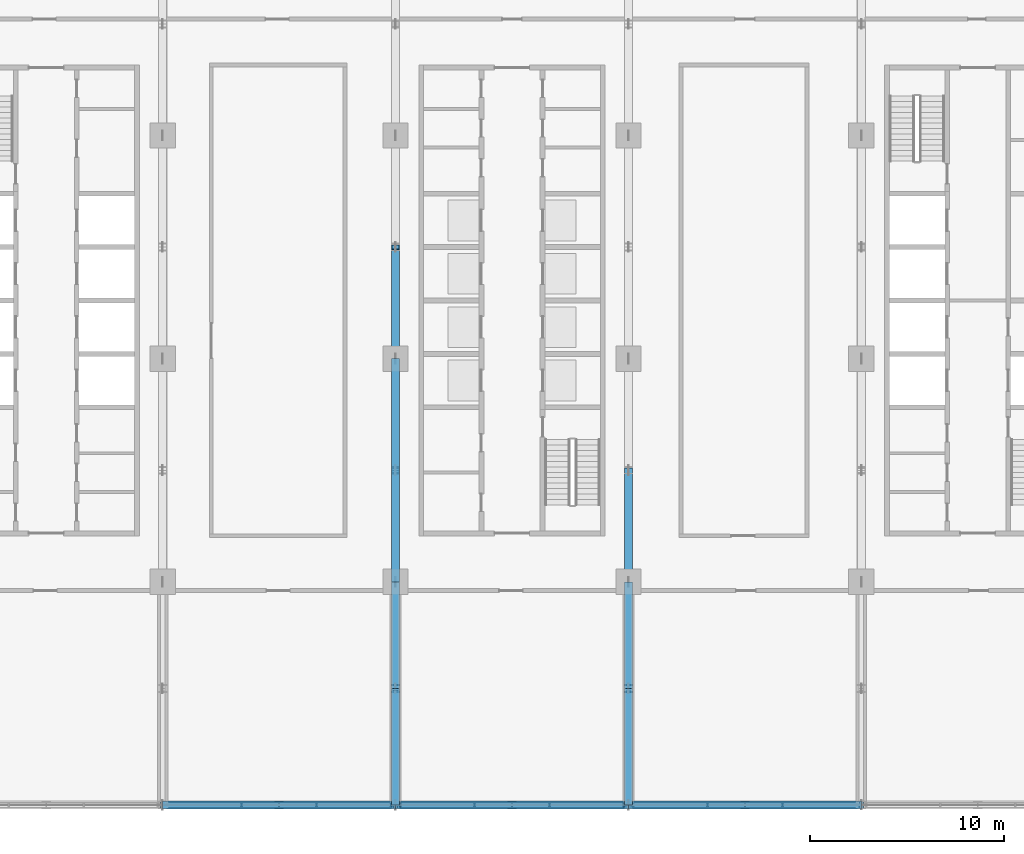
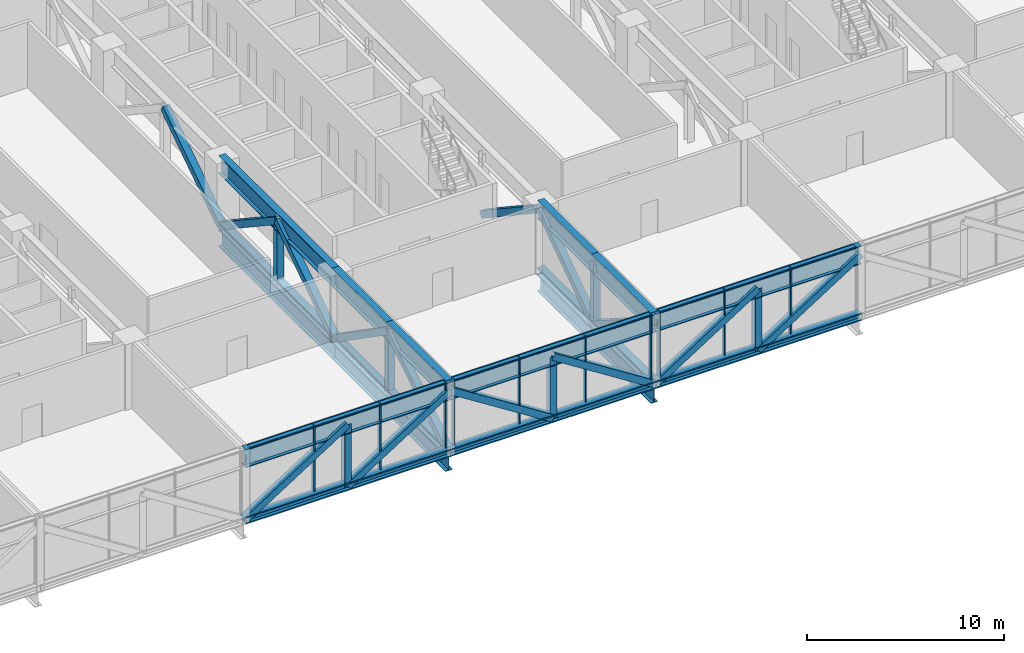
# One storey, part 5 of 30: 55 members, 5 beams, 3 elements without a shape of their own.
"""IFC4 building model written with IfcOpenShell, lengths in metres."""

from ifc_helpers import new_model, si_unit, direction, frame, origin, origin_2d, place, context, subcontext, project, spatial, rectangle, hollow_rectangle, i_section, extrude, material, material_profile, profile_set, type_object, element, aggregate, save


model = new_model("IFC4")

# Units and contexts
model_context = context("Model", 3, precision=1e-05, world=origin(), true_north=direction((0.0, 1.0)))
body_context = subcontext(model_context, "Body", "Model", "MODEL_VIEW")
ifc_project = project(units=[si_unit("LENGTHUNIT", "METRE"), si_unit("AREAUNIT", "SQUARE_METRE"), si_unit("VOLUMEUNIT", "CUBIC_METRE"), si_unit("PLANEANGLEUNIT", "RADIAN"), si_unit("MASSUNIT", "GRAM", prefix="KILO")], contexts=[model_context])

# Site, building, storey
site_placement = place(None, origin())
site = spatial("IfcSite", under=ifc_project, at=site_placement, CompositionType="ELEMENT")
building_placement = place(site_placement, origin())
building = spatial("IfcBuilding", under=site, at=building_placement, Name="Mahtab Terrace Research Tower", CompositionType="ELEMENT")
storey_placement = place(building_placement, frame((0.0, 0.0, 154.800048828125)))
storey = spatial("IfcBuildingStorey", under=building, at=storey_placement, Name="L36", CompositionType="ELEMENT", Elevation=154.800048828125)

# Members
ifc_material_1 = material(Name="Steel ASTM A500 Gr C", Category="steel")
ifc_material_profile_1 = material_profile(ifc_material_1, hollow_rectangle(XDim=0.406494140625, YDim=0.406494140625, WallThickness=0.015869140625, at=origin_2d()), Name="HSS16X16X5/8")
ifc_profile_set_1 = profile_set([ifc_material_profile_1], Name="Steel ASTM A500 Gr C")
member_type_1 = type_object("IfcMemberType", Name="HSS 16x16x5/8 brace TD161658", PredefinedType="BRACE", material=ifc_profile_set_1)
for number, where, z_axis, x_axis, name in (
    (1, (-18.0, -23.0, -0.317626953125), (0.843619081223, 0.0, 0.536942125183), (0.0, 1.0, 0.0), "Transfer truss T4 diagonal 037"),
    (2, (-12.0, -23.0, -0.317626953125), (0.843619081223, 0.0, 0.536942125183), (0.0, 1.0, 0.0), "Transfer truss T4 diagonal 049"),
    (3, (0.0, -23.0, -0.317626953125), (-0.843619081223, 0.0, 0.536942125183), (0.0, -1.0, 0.0), "Transfer truss T4 diagonal 052"),
    (4, (-6.0, -23.0, -0.317626953125), (0.0, 0.843619081223, 0.536942125183), (-1.0, 0.0, 0.0), "Transfer truss T4 diagonal 053"),
):
    element("IfcMember", number, at=place(storey_placement, frame(where, z_axis=z_axis, x_axis=x_axis)), inside=storey, type_object=member_type_1, Name=name, PredefinedType="BRACE", context=body_context, shape_type="SweptSolid", body=[
        extrude(hollow_rectangle(XDim=0.406494140625, YDim=0.406494140625, WallThickness=0.015869140625, at=origin_2d()), origin(), (0.0, 0.0, 1.0), 7.1123046875),
    ])
member_1_placement = place(storey_placement, frame((-6.0, -11.5, -0.317626953125), z_axis=(0.0, -0.821411720884, 0.570335677294), x_axis=(1.0, 0.0, 0.0)))
element("IfcMember", 5, at=member_1_placement, inside=storey, type_object=member_type_1, Name="Transfer truss T4 diagonal 054", PredefinedType="BRACE", context=body_context, shape_type="SweptSolid", body=[
    extrude(hollow_rectangle(XDim=0.406494140625, YDim=0.406494140625, WallThickness=0.015869140625, at=origin_2d()), origin(), (0.0, 0.0, 1.0), 6.69580078125),
])
for number, where, z_axis, x_axis, name in (
    (6, (-6.0, -11.5, -0.317626953125), (0.0, 0.833017600398, 0.553246488852), (-1.0, 0.0, 0.0), "Transfer truss T4 diagonal 055"),
    (7, (-6.0, 0.0, -0.317626953125), (0.0, -0.833017600398, 0.553246488852), (1.0, 0.0, 0.0), "Transfer truss T4 diagonal 056"),
    (8, (-6.0, 0.0, -0.317626953125), (0.0, 0.833017600398, 0.553246488852), (-1.0, 0.0, 0.0), "Transfer truss T4 diagonal 057"),
):
    element("IfcMember", number, at=place(storey_placement, frame(where, z_axis=z_axis, x_axis=x_axis)), inside=storey, type_object=member_type_1, Name=name, PredefinedType="BRACE", context=body_context, shape_type="SweptSolid", body=[
        extrude(hollow_rectangle(XDim=0.406494140625, YDim=0.406494140625, WallThickness=0.015869140625, at=origin_2d()), origin(), (0.0, 0.0, 1.0), 6.902587890625),
    ])
for number, where, z_axis, x_axis, name in (
    (9, (6.0, -23.0, -0.317626953125), (-0.843619081223, 0.0, 0.536942125183), (0.0, -1.0, 0.0), "Transfer truss T4 diagonal 064"),
    (10, (6.0, -23.0, -0.317626953125), (0.843619081223, 0.0, 0.536942125183), (0.0, 1.0, 0.0), "Transfer truss T4 diagonal 067"),
    (11, (6.0, -17.0, -0.317626953125), (0.0, -0.843619081223, 0.536942125183), (1.0, 0.0, 0.0), "Transfer truss T4 diagonal 068"),
):
    element("IfcMember", number, at=place(storey_placement, frame(where, z_axis=z_axis, x_axis=x_axis)), inside=storey, type_object=member_type_1, Name=name, PredefinedType="BRACE", context=body_context, shape_type="SweptSolid", body=[
        extrude(hollow_rectangle(XDim=0.406494140625, YDim=0.406494140625, WallThickness=0.015869140625, at=origin_2d()), origin(), (0.0, 0.0, 1.0), 7.1123046875),
    ])
member_2_placement = place(storey_placement, frame((6.0, -17.0, -0.317626953125), z_axis=(0.0, 0.821411720884, 0.570335677294), x_axis=(-1.0, 0.0, 0.0)))
element("IfcMember", 12, at=member_2_placement, inside=storey, type_object=member_type_1, Name="Transfer truss T4 diagonal 069", PredefinedType="BRACE", context=body_context, shape_type="SweptSolid", body=[
    extrude(hollow_rectangle(XDim=0.406494140625, YDim=0.406494140625, WallThickness=0.015869140625, at=origin_2d()), origin(), (0.0, 0.0, 1.0), 6.69580078125),
])
member_3_placement = place(storey_placement, frame((6.0, -5.75, -0.317626953125), z_axis=(0.0, -0.833017600398, 0.553246488852), x_axis=(1.0, 0.0, 0.0)))
element("IfcMember", 13, at=member_3_placement, inside=storey, type_object=member_type_1, Name="Transfer truss T4 diagonal 070", PredefinedType="BRACE", context=body_context, shape_type="SweptSolid", body=[
    extrude(hollow_rectangle(XDim=0.406494140625, YDim=0.406494140625, WallThickness=0.015869140625, at=origin_2d()), origin(), (0.0, 0.0, 1.0), 6.902587890625),
])
member_4_placement = place(storey_placement, frame((12.0, -23.0, -0.317626953125), z_axis=(0.843619081223, 0.0, 0.536942125183), x_axis=(0.0, 1.0, 0.0)))
element("IfcMember", 14, at=member_4_placement, inside=storey, type_object=member_type_1, Name="Transfer truss T4 diagonal 079", PredefinedType="BRACE", context=body_context, shape_type="SweptSolid", body=[
    extrude(hollow_rectangle(XDim=0.406494140625, YDim=0.406494140625, WallThickness=0.015869140625, at=origin_2d()), origin(), (0.0, 0.0, 1.0), 7.1123046875),
])

# Curtain wall, members
ifc_material_2 = material(Name="Sky lounge full-height curtain wall")
curtain_wall_type = type_object("IfcCurtainWallType", Name="Sky lounge full-height curtain wall", PredefinedType="NOTDEFINED", material=ifc_material_2)
curtain_wall_1_placement = place(storey_placement, origin())
curtain_wall_1 = element("IfcCurtainWall", 15, at=curtain_wall_1_placement, inside=storey, type_object=curtain_wall_type, Name="EN.L36.17.2", PredefinedType="NOTDEFINED")
ifc_material_3 = material(Name="Natural anodised aluminium", Category="aluminium")
ifc_material_profile_2 = material_profile(ifc_material_3, rectangle(XDim=0.25, YDim=0.070068359375, at=origin_2d()), Name="MULLION 70x250")
ifc_profile_set_2 = profile_set([ifc_material_profile_2], Name="Natural anodised aluminium")
member_type_2 = type_object("IfcMemberType", Name="Sky lounge full-height curtain wall mullion", PredefinedType="MULLION", material=ifc_profile_set_2)
member_5_placement = place(storey_placement, frame((-13.9306640625, -23.0, 0.0), z_axis=(0.0, 0.0, 1.0), x_axis=(0.0, 1.0, 0.0)))
member_5 = element("IfcMember", 16, at=member_5_placement, type_object=member_type_2, Name="CWS-T4 mullion 2", PredefinedType="MULLION", context=body_context, shape_type="SweptSolid", body=[
    extrude(rectangle(XDim=0.25, YDim=0.070068359375, at=origin_2d()), origin(), (0.0, 0.0, 1.0), 4.06005859375),
])
member_6_placement = place(storey_placement, frame((-10.0693359375, -23.0, 0.0), z_axis=(0.0, 0.0, 1.0), x_axis=(0.0, 1.0, 0.0)))
member_6 = element("IfcMember", 17, at=member_6_placement, type_object=member_type_2, Name="CWS-T4 mullion 3", PredefinedType="MULLION", context=body_context, shape_type="SweptSolid", body=[
    extrude(rectangle(XDim=0.25, YDim=0.070068359375, at=origin_2d()), origin(), (0.0, 0.0, 1.0), 4.06005859375),
])
member_7_placement = place(storey_placement, frame((-6.242919921875, -23.0, 0.0), z_axis=(0.0, 0.0, 1.0), x_axis=(0.0, 1.0, 0.0)))
member_7 = element("IfcMember", 18, at=member_7_placement, type_object=member_type_2, Name="CWS-T4 mullion 4", PredefinedType="MULLION", context=body_context, shape_type="SweptSolid", body=[
    extrude(rectangle(XDim=0.25, YDim=0.070068359375, at=origin_2d()), origin(), (0.0, 0.0, 1.0), 4.06005859375),
])

curtain_wall_2_placement = place(storey_placement, origin())
curtain_wall_2 = element("IfcCurtainWall", 19, at=curtain_wall_2_placement, inside=storey, type_object=curtain_wall_type, Name="EN.L36.17.3", PredefinedType="NOTDEFINED")
member_8_placement = place(storey_placement, frame((-5.757080078125, -23.0, 0.0), z_axis=(0.0, 0.0, 1.0), x_axis=(0.0, 1.0, 0.0)))
member_8 = element("IfcMember", 20, at=member_8_placement, type_object=member_type_2, Name="CWS-T4 mullion 1", PredefinedType="MULLION", context=body_context, shape_type="SweptSolid", body=[
    extrude(rectangle(XDim=0.25, YDim=0.070068359375, at=origin_2d()), origin(), (0.0, 0.0, 1.0), 4.06005859375),
])
member_9_placement = place(storey_placement, frame((-1.9306640625, -23.0, 0.0), z_axis=(0.0, 0.0, 1.0), x_axis=(0.0, 1.0, 0.0)))
member_9 = element("IfcMember", 21, at=member_9_placement, type_object=member_type_2, Name="CWS-T4 mullion 2", PredefinedType="MULLION", context=body_context, shape_type="SweptSolid", body=[
    extrude(rectangle(XDim=0.25, YDim=0.070068359375, at=origin_2d()), origin(), (0.0, 0.0, 1.0), 4.06005859375),
])
member_10_placement = place(storey_placement, frame((1.9306640625, -23.0, 0.0), z_axis=(0.0, 0.0, 1.0), x_axis=(0.0, 1.0, 0.0)))
member_10 = element("IfcMember", 22, at=member_10_placement, type_object=member_type_2, Name="CWS-T4 mullion 3", PredefinedType="MULLION", context=body_context, shape_type="SweptSolid", body=[
    extrude(rectangle(XDim=0.25, YDim=0.070068359375, at=origin_2d()), origin(), (0.0, 0.0, 1.0), 4.06005859375),
])
member_11_placement = place(storey_placement, frame((5.757080078125, -23.0, 0.0), z_axis=(0.0, 0.0, 1.0), x_axis=(0.0, 1.0, 0.0)))
member_11 = element("IfcMember", 23, at=member_11_placement, type_object=member_type_2, Name="CWS-T4 mullion 4", PredefinedType="MULLION", context=body_context, shape_type="SweptSolid", body=[
    extrude(rectangle(XDim=0.25, YDim=0.070068359375, at=origin_2d()), origin(), (0.0, 0.0, 1.0), 4.06005859375),
])

curtain_wall_3_placement = place(storey_placement, origin())
curtain_wall_3 = element("IfcCurtainWall", 24, at=curtain_wall_3_placement, inside=storey, type_object=curtain_wall_type, Name="EN.L36.17.4", PredefinedType="NOTDEFINED")
member_12_placement = place(storey_placement, frame((6.242919921875, -23.0, 0.0), z_axis=(0.0, 0.0, 1.0), x_axis=(0.0, 1.0, 0.0)))
member_12 = element("IfcMember", 25, at=member_12_placement, type_object=member_type_2, Name="CWS-T4 mullion 1", PredefinedType="MULLION", context=body_context, shape_type="SweptSolid", body=[
    extrude(rectangle(XDim=0.25, YDim=0.070068359375, at=origin_2d()), origin(), (0.0, 0.0, 1.0), 4.06005859375),
])
member_13_placement = place(storey_placement, frame((10.0693359375, -23.0, 0.0), z_axis=(0.0, 0.0, 1.0), x_axis=(0.0, 1.0, 0.0)))
member_13 = element("IfcMember", 26, at=member_13_placement, type_object=member_type_2, Name="CWS-T4 mullion 2", PredefinedType="MULLION", context=body_context, shape_type="SweptSolid", body=[
    extrude(rectangle(XDim=0.25, YDim=0.070068359375, at=origin_2d()), origin(), (0.0, 0.0, 1.0), 4.06005859375),
])
member_14_placement = place(storey_placement, frame((13.9306640625, -23.0, 0.0), z_axis=(0.0, 0.0, 1.0), x_axis=(0.0, 1.0, 0.0)))
member_14 = element("IfcMember", 27, at=member_14_placement, type_object=member_type_2, Name="CWS-T4 mullion 3", PredefinedType="MULLION", context=body_context, shape_type="SweptSolid", body=[
    extrude(rectangle(XDim=0.25, YDim=0.070068359375, at=origin_2d()), origin(), (0.0, 0.0, 1.0), 4.06005859375),
])

# Member
ifc_material_profile_3 = material_profile(ifc_material_3, rectangle(XDim=0.25, YDim=0.1201171875, at=origin_2d()), Name="TRANSOM 120x250")
ifc_profile_set_3 = profile_set([ifc_material_profile_3], Name="Natural anodised aluminium")
member_type_3 = type_object("IfcMemberType", Name="Sky lounge full-height curtain wall transom", PredefinedType="USERDEFINED", material=ifc_profile_set_3)
member_15_placement = place(storey_placement, frame((-17.721923828125, -23.0, 4.0), z_axis=(1.0, 0.0, 0.0), x_axis=(0.0, 1.0, 0.0)))
member_15 = element("IfcMember", 28, at=member_15_placement, type_object=member_type_3, Name="CWS-T4 transom 1", ObjectType="TRANSOM", PredefinedType="USERDEFINED", context=body_context, shape_type="SweptSolid", body=[
    extrude(rectangle(XDim=0.25, YDim=0.1201171875, at=origin_2d()), origin(), (0.0, 0.0, 1.0), 3.75634765625),
])

member_16_placement = place(storey_placement, frame((-13.895751953125, -23.0, 4.0), z_axis=(1.0, 0.0, 0.0), x_axis=(0.0, 1.0, 0.0)))
member_16 = element("IfcMember", 29, at=member_16_placement, type_object=member_type_3, Name="CWS-T4 transom 2", ObjectType="TRANSOM", PredefinedType="USERDEFINED", context=body_context, shape_type="SweptSolid", body=[
    extrude(rectangle(XDim=0.25, YDim=0.1201171875, at=origin_2d()), origin(), (0.0, 0.0, 1.0), 3.79150390625),
])

member_17_placement = place(storey_placement, frame((-10.034423828125, -23.0, 4.0), z_axis=(1.0, 0.0, 0.0), x_axis=(0.0, 1.0, 0.0)))
member_17 = element("IfcMember", 30, at=member_17_placement, type_object=member_type_3, Name="CWS-T4 transom 3", ObjectType="TRANSOM", PredefinedType="USERDEFINED", context=body_context, shape_type="SweptSolid", body=[
    extrude(rectangle(XDim=0.25, YDim=0.1201171875, at=origin_2d()), origin(), (0.0, 0.0, 1.0), 3.75634765625),
])

aggregate(curtain_wall_1, [member_5, member_6, member_7, member_15, member_16, member_17])

member_18_placement = place(storey_placement, frame((-5.721923828125, -23.0, 4.0), z_axis=(1.0, 0.0, 0.0), x_axis=(0.0, 1.0, 0.0)))
member_18 = element("IfcMember", 31, at=member_18_placement, type_object=member_type_3, Name="CWS-T4 transom 1", ObjectType="TRANSOM", PredefinedType="USERDEFINED", context=body_context, shape_type="SweptSolid", body=[
    extrude(rectangle(XDim=0.25, YDim=0.1201171875, at=origin_2d()), origin(), (0.0, 0.0, 1.0), 3.75634765625),
])

member_19_placement = place(storey_placement, frame((-1.895751953125, -23.0, 4.0), z_axis=(1.0, 0.0, 0.0), x_axis=(0.0, 1.0, 0.0)))
member_19 = element("IfcMember", 32, at=member_19_placement, type_object=member_type_3, Name="CWS-T4 transom 2", ObjectType="TRANSOM", PredefinedType="USERDEFINED", context=body_context, shape_type="SweptSolid", body=[
    extrude(rectangle(XDim=0.25, YDim=0.1201171875, at=origin_2d()), origin(), (0.0, 0.0, 1.0), 3.79150390625),
])

member_20_placement = place(storey_placement, frame((1.965576171875, -23.0, 4.0), z_axis=(1.0, 0.0, 0.0), x_axis=(0.0, 1.0, 0.0)))
member_20 = element("IfcMember", 33, at=member_20_placement, type_object=member_type_3, Name="CWS-T4 transom 3", ObjectType="TRANSOM", PredefinedType="USERDEFINED", context=body_context, shape_type="SweptSolid", body=[
    extrude(rectangle(XDim=0.25, YDim=0.1201171875, at=origin_2d()), origin(), (0.0, 0.0, 1.0), 3.75634765625),
])

aggregate(curtain_wall_2, [member_8, member_9, member_10, member_11, member_18, member_19, member_20])

member_21_placement = place(storey_placement, frame((6.278076171875, -23.0, 4.0), z_axis=(1.0, 0.0, 0.0), x_axis=(0.0, 1.0, 0.0)))
member_21 = element("IfcMember", 34, at=member_21_placement, type_object=member_type_3, Name="CWS-T4 transom 1", ObjectType="TRANSOM", PredefinedType="USERDEFINED", context=body_context, shape_type="SweptSolid", body=[
    extrude(rectangle(XDim=0.25, YDim=0.1201171875, at=origin_2d()), origin(), (0.0, 0.0, 1.0), 3.75634765625),
])

member_22_placement = place(storey_placement, frame((10.104248046875, -23.0, 4.0), z_axis=(1.0, 0.0, 0.0), x_axis=(0.0, 1.0, 0.0)))
member_22 = element("IfcMember", 35, at=member_22_placement, type_object=member_type_3, Name="CWS-T4 transom 2", ObjectType="TRANSOM", PredefinedType="USERDEFINED", context=body_context, shape_type="SweptSolid", body=[
    extrude(rectangle(XDim=0.25, YDim=0.1201171875, at=origin_2d()), origin(), (0.0, 0.0, 1.0), 3.79150390625),
])

member_23_placement = place(storey_placement, frame((13.965576171875, -23.0, 4.0), z_axis=(1.0, 0.0, 0.0), x_axis=(0.0, 1.0, 0.0)))
member_23 = element("IfcMember", 36, at=member_23_placement, type_object=member_type_3, Name="CWS-T4 transom 3", ObjectType="TRANSOM", PredefinedType="USERDEFINED", context=body_context, shape_type="SweptSolid", body=[
    extrude(rectangle(XDim=0.25, YDim=0.1201171875, at=origin_2d()), origin(), (0.0, 0.0, 1.0), 3.75634765625),
])

aggregate(curtain_wall_3, [member_12, member_13, member_14, member_21, member_22, member_23])

# Members
ifc_material_4 = material(Name="Steel ASTM A992 Gr 50", Category="steel")
ifc_material_profile_4 = material_profile(ifc_material_4, i_section(OverallWidth=0.396240234375, OverallDepth=0.381103515625, WebThickness=0.018798828125, FlangeThickness=0.0302734375, at=origin_2d()), Name="W14X159")
ifc_profile_set_4 = profile_set([ifc_material_profile_4], Name="Steel ASTM A992 Gr 50")
member_type_4 = type_object("IfcMemberType", Name="W14x159 post TP14159", PredefinedType="POST", material=ifc_profile_set_4)
for number, where, z_axis, x_axis, name in (
    (37, (-12.0, -23.0, -0.317626953125), (0.0, 0.0, 1.0), (1.0, 0.0, 0.0), "Transfer truss T4 post 045"),
    (38, (-6.0, -17.0, -0.317626953125), (0.0, 0.0, 1.0), (1.0, 0.0, 0.0), "Transfer truss T4 post 049"),
    (39, (-6.0, -5.75, -0.317626953125), (0.0, 0.0, 1.0), (1.0, 0.0, 0.0), "Transfer truss T4 post 051"),
    (40, (0.0, -23.0, -0.317626953125), (0.0, 0.0, 1.0), (1.0, 0.0, 0.0), "Transfer truss T4 post 058"),
    (41, (6.0, -17.0, -0.317626953125), (0.0, 0.0, 1.0), (1.0, 0.0, 0.0), "Transfer truss T4 post 062"),
    (42, (12.0, -23.0, -0.317626953125), (0.0, 0.0, 1.0), (1.0, 0.0, 0.0), "Transfer truss T4 post 071"),
):
    element("IfcMember", number, at=place(storey_placement, frame(where, z_axis=z_axis, x_axis=x_axis)), inside=storey, type_object=member_type_4, Name=name, PredefinedType="POST", context=body_context, shape_type="SweptSolid", body=[
        extrude(i_section(OverallWidth=0.396240234375, OverallDepth=0.381103515625, WebThickness=0.018798828125, FlangeThickness=0.0302734375, at=origin_2d()), origin(), (0.0, 0.0, 1.0), 3.81884765625),
    ])
ifc_material_profile_5 = material_profile(ifc_material_4, i_section(OverallWidth=0.421630859375, OverallDepth=0.46484375, WebThickness=0.044921875, FlangeThickness=0.072509765625, at=origin_2d()), Name="W14X398")
ifc_profile_set_5 = profile_set([ifc_material_profile_5], Name="Steel ASTM A992 Gr 50")
member_type_5 = type_object("IfcMemberType", Name="W14x398 chord TC14398", PredefinedType="CHORD", material=ifc_profile_set_5)
for number, where, z_axis, x_axis, name in (
    (43, (-18.0, -23.0, -0.317626953125), (1.0, 0.0, 0.0), (0.0, 1.0, 0.0), "Transfer truss T4 bottom chord 018"),
    (44, (-6.0, -23.0, -0.317626953125), (1.0, 0.0, 0.0), (0.0, 1.0, 0.0), "Transfer truss T4 bottom chord 019"),
    (45, (6.0, -23.0, -0.317626953125), (1.0, 0.0, 0.0), (0.0, 1.0, 0.0), "Transfer truss T4 bottom chord 020"),
):
    element("IfcMember", number, at=place(storey_placement, frame(where, z_axis=z_axis, x_axis=x_axis)), inside=storey, type_object=member_type_5, Name=name, PredefinedType="CHORD", context=body_context, shape_type="SweptSolid", body=[
        extrude(i_section(OverallWidth=0.421630859375, OverallDepth=0.46484375, WebThickness=0.044921875, FlangeThickness=0.072509765625, at=origin_2d()), origin(), (0.0, 0.0, 1.0), 12.0),
    ])
member_24_placement = place(storey_placement, frame((-6.0, -23.0, -0.317626953125), z_axis=(0.0, 1.0, 0.0), x_axis=(-1.0, 0.0, 0.0)))
element("IfcMember", 46, at=member_24_placement, inside=storey, type_object=member_type_5, Name="Transfer truss T4 bottom chord 045", PredefinedType="CHORD", context=body_context, shape_type="SweptSolid", body=[
    extrude(i_section(OverallWidth=0.421630859375, OverallDepth=0.46484375, WebThickness=0.044921875, FlangeThickness=0.072509765625, at=origin_2d()), origin(), (0.0, 0.0, 1.0), 6.0),
])
member_25_placement = place(storey_placement, frame((-6.0, -17.0, -0.317626953125), z_axis=(0.0, 1.0, 0.0), x_axis=(-1.0, 0.0, 0.0)))
element("IfcMember", 47, at=member_25_placement, inside=storey, type_object=member_type_5, Name="Transfer truss T4 bottom chord 046", PredefinedType="CHORD", context=body_context, shape_type="SweptSolid", body=[
    extrude(i_section(OverallWidth=0.421630859375, OverallDepth=0.46484375, WebThickness=0.044921875, FlangeThickness=0.072509765625, at=origin_2d()), origin(), (0.0, 0.0, 1.0), 5.5),
])
member_26_placement = place(storey_placement, frame((-6.0, -11.5, -0.317626953125), z_axis=(0.0, 1.0, 0.0), x_axis=(-1.0, 0.0, 0.0)))
element("IfcMember", 48, at=member_26_placement, inside=storey, type_object=member_type_5, Name="Transfer truss T4 bottom chord 047", PredefinedType="CHORD", context=body_context, shape_type="SweptSolid", body=[
    extrude(i_section(OverallWidth=0.421630859375, OverallDepth=0.46484375, WebThickness=0.044921875, FlangeThickness=0.072509765625, at=origin_2d()), origin(), (0.0, 0.0, 1.0), 11.5),
])
member_27_placement = place(storey_placement, frame((6.0, -23.0, -0.317626953125), z_axis=(0.0, 1.0, 0.0), x_axis=(-1.0, 0.0, 0.0)))
element("IfcMember", 49, at=member_27_placement, inside=storey, type_object=member_type_5, Name="Transfer truss T4 bottom chord 051", PredefinedType="CHORD", context=body_context, shape_type="SweptSolid", body=[
    extrude(i_section(OverallWidth=0.421630859375, OverallDepth=0.46484375, WebThickness=0.044921875, FlangeThickness=0.072509765625, at=origin_2d()), origin(), (0.0, 0.0, 1.0), 6.0),
])
member_28_placement = place(storey_placement, frame((6.0, -17.0, -0.317626953125), z_axis=(0.0, 1.0, 0.0), x_axis=(-1.0, 0.0, 0.0)))
element("IfcMember", 50, at=member_28_placement, inside=storey, type_object=member_type_5, Name="Transfer truss T4 bottom chord 052", PredefinedType="CHORD", context=body_context, shape_type="SweptSolid", body=[
    extrude(i_section(OverallWidth=0.421630859375, OverallDepth=0.46484375, WebThickness=0.044921875, FlangeThickness=0.072509765625, at=origin_2d()), origin(), (0.0, 0.0, 1.0), 5.5),
])

# Beams
ifc_material_profile_6 = material_profile(ifc_material_4, i_section(OverallWidth=0.4013671875, OverallDepth=1.000732421875, WebThickness=0.01904296875, FlangeThickness=0.0361328125, at=origin_2d()), Name="W40X249")
ifc_profile_set_6 = profile_set([ifc_material_profile_6], Name="Steel ASTM A992 Gr 50")
beam_type = type_object("IfcBeamType", Name="W40x249 transfer girder TG40249", PredefinedType="BEAM", material=ifc_profile_set_6)
beam_1_placement = place(storey_placement, frame((-6.0, -23.0, -1.04833984375), z_axis=(0.0, 1.0, 0.0), x_axis=(-1.0, 0.0, 0.0)))
element("IfcBeam", 51, at=beam_1_placement, inside=storey, type_object=beam_type, Name="Transfer girder T4 31", PredefinedType="BEAM", context=body_context, shape_type="SweptSolid", body=[
    extrude(i_section(OverallWidth=0.4013671875, OverallDepth=1.000732421875, WebThickness=0.01904296875, FlangeThickness=0.0361328125, at=origin_2d()), origin(), (0.0, 0.0, 1.0), 6.0),
])
beam_2_placement = place(storey_placement, frame((-6.0, -17.0, -1.04833984375), z_axis=(0.0, 1.0, 0.0), x_axis=(-1.0, 0.0, 0.0)))
element("IfcBeam", 52, at=beam_2_placement, inside=storey, type_object=beam_type, Name="Transfer girder T4 32", PredefinedType="BEAM", context=body_context, shape_type="SweptSolid", body=[
    extrude(i_section(OverallWidth=0.4013671875, OverallDepth=1.000732421875, WebThickness=0.01904296875, FlangeThickness=0.0361328125, at=origin_2d()), origin(), (0.0, 0.0, 1.0), 5.5),
])
beam_3_placement = place(storey_placement, frame((-6.0, -11.5, -1.04833984375), z_axis=(0.0, 1.0, 0.0), x_axis=(-1.0, 0.0, 0.0)))
element("IfcBeam", 53, at=beam_3_placement, inside=storey, type_object=beam_type, Name="Transfer girder T4 33", PredefinedType="BEAM", context=body_context, shape_type="SweptSolid", body=[
    extrude(i_section(OverallWidth=0.4013671875, OverallDepth=1.000732421875, WebThickness=0.01904296875, FlangeThickness=0.0361328125, at=origin_2d()), origin(), (0.0, 0.0, 1.0), 11.5),
])
beam_4_placement = place(storey_placement, frame((6.0, -23.0, -1.04833984375), z_axis=(0.0, 1.0, 0.0), x_axis=(-1.0, 0.0, 0.0)))
element("IfcBeam", 54, at=beam_4_placement, inside=storey, type_object=beam_type, Name="Transfer girder T4 34", PredefinedType="BEAM", context=body_context, shape_type="SweptSolid", body=[
    extrude(i_section(OverallWidth=0.4013671875, OverallDepth=1.000732421875, WebThickness=0.01904296875, FlangeThickness=0.0361328125, at=origin_2d()), origin(), (0.0, 0.0, 1.0), 6.0),
])
beam_5_placement = place(storey_placement, frame((6.0, -17.0, -1.04833984375), z_axis=(0.0, 1.0, 0.0), x_axis=(-1.0, 0.0, 0.0)))
element("IfcBeam", 55, at=beam_5_placement, inside=storey, type_object=beam_type, Name="Transfer girder T4 35", PredefinedType="BEAM", context=body_context, shape_type="SweptSolid", body=[
    extrude(i_section(OverallWidth=0.4013671875, OverallDepth=1.000732421875, WebThickness=0.01904296875, FlangeThickness=0.0361328125, at=origin_2d()), origin(), (0.0, 0.0, 1.0), 5.5),
])

# Members
ifc_material_profile_7 = material_profile(ifc_material_4, i_section(OverallWidth=0.40380859375, OverallDepth=1.11767578125, WebThickness=0.026123046875, FlangeThickness=0.044921875, at=origin_2d()), Name="W44X335")
ifc_profile_set_7 = profile_set([ifc_material_profile_7], Name="Steel ASTM A992 Gr 50")
member_type_6 = type_object("IfcMemberType", Name="W44x335 chord TT44335", PredefinedType="CHORD", material=ifc_profile_set_7)
for number, where, z_axis, x_axis, name in (
    (56, (-18.0, -23.0, 3.501220703125), (1.0, 0.0, 0.0), (0.0, 1.0, 0.0), "Transfer truss T4 top chord 017"),
    (57, (-6.0, -23.0, 3.501220703125), (1.0, 0.0, 0.0), (0.0, 1.0, 0.0), "Transfer truss T4 top chord 018"),
    (58, (6.0, -23.0, 3.501220703125), (1.0, 0.0, 0.0), (0.0, 1.0, 0.0), "Transfer truss T4 top chord 019"),
):
    element("IfcMember", number, at=place(storey_placement, frame(where, z_axis=z_axis, x_axis=x_axis)), inside=storey, type_object=member_type_6, Name=name, PredefinedType="CHORD", context=body_context, shape_type="SweptSolid", body=[
        extrude(i_section(OverallWidth=0.40380859375, OverallDepth=1.11767578125, WebThickness=0.026123046875, FlangeThickness=0.044921875, at=origin_2d()), origin(), (0.0, 0.0, 1.0), 12.0),
    ])
member_29_placement = place(storey_placement, frame((-6.0, -23.0, 3.501220703125), z_axis=(0.0, 1.0, 0.0), x_axis=(-1.0, 0.0, 0.0)))
element("IfcMember", 59, at=member_29_placement, inside=storey, type_object=member_type_6, Name="Transfer truss T4 top chord 044", PredefinedType="CHORD", context=body_context, shape_type="SweptSolid", body=[
    extrude(i_section(OverallWidth=0.40380859375, OverallDepth=1.11767578125, WebThickness=0.026123046875, FlangeThickness=0.044921875, at=origin_2d()), origin(), (0.0, 0.0, 1.0), 6.0),
])
member_30_placement = place(storey_placement, frame((-6.0, -17.0, 3.501220703125), z_axis=(0.0, 1.0, 0.0), x_axis=(-1.0, 0.0, 0.0)))
element("IfcMember", 60, at=member_30_placement, inside=storey, type_object=member_type_6, Name="Transfer truss T4 top chord 045", PredefinedType="CHORD", context=body_context, shape_type="SweptSolid", body=[
    extrude(i_section(OverallWidth=0.40380859375, OverallDepth=1.11767578125, WebThickness=0.026123046875, FlangeThickness=0.044921875, at=origin_2d()), origin(), (0.0, 0.0, 1.0), 5.5),
])
member_31_placement = place(storey_placement, frame((-6.0, -11.5, 3.501220703125), z_axis=(0.0, 1.0, 0.0), x_axis=(-1.0, 0.0, 0.0)))
element("IfcMember", 61, at=member_31_placement, inside=storey, type_object=member_type_6, Name="Transfer truss T4 top chord 046", PredefinedType="CHORD", context=body_context, shape_type="SweptSolid", body=[
    extrude(i_section(OverallWidth=0.40380859375, OverallDepth=1.11767578125, WebThickness=0.026123046875, FlangeThickness=0.044921875, at=origin_2d()), origin(), (0.0, 0.0, 1.0), 11.5),
])
member_32_placement = place(storey_placement, frame((6.0, -23.0, 3.501220703125), z_axis=(0.0, 1.0, 0.0), x_axis=(-1.0, 0.0, 0.0)))
element("IfcMember", 62, at=member_32_placement, inside=storey, type_object=member_type_6, Name="Transfer truss T4 top chord 050", PredefinedType="CHORD", context=body_context, shape_type="SweptSolid", body=[
    extrude(i_section(OverallWidth=0.40380859375, OverallDepth=1.11767578125, WebThickness=0.026123046875, FlangeThickness=0.044921875, at=origin_2d()), origin(), (0.0, 0.0, 1.0), 6.0),
])
member_33_placement = place(storey_placement, frame((6.0, -17.0, 3.501220703125), z_axis=(0.0, 1.0, 0.0), x_axis=(-1.0, 0.0, 0.0)))
element("IfcMember", 63, at=member_33_placement, inside=storey, type_object=member_type_6, Name="Transfer truss T4 top chord 051", PredefinedType="CHORD", context=body_context, shape_type="SweptSolid", body=[
    extrude(i_section(OverallWidth=0.40380859375, OverallDepth=1.11767578125, WebThickness=0.026123046875, FlangeThickness=0.044921875, at=origin_2d()), origin(), (0.0, 0.0, 1.0), 5.5),
])

save(model, "model.ifc")
